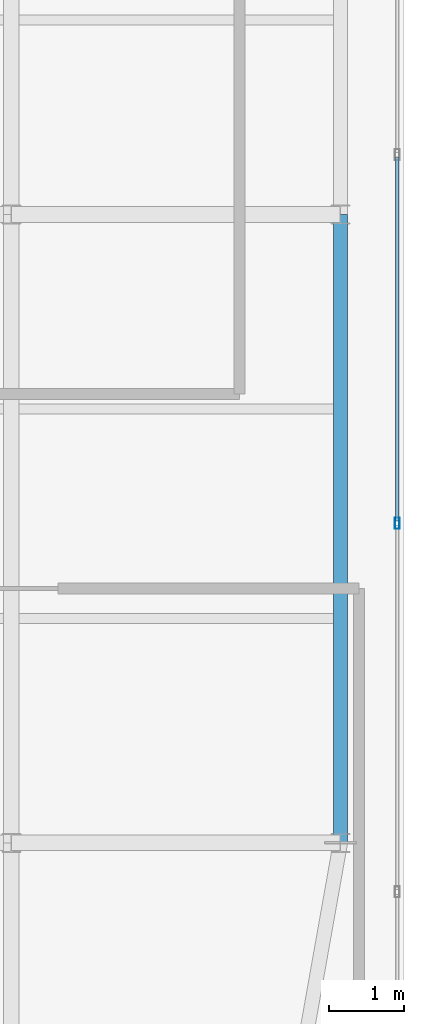
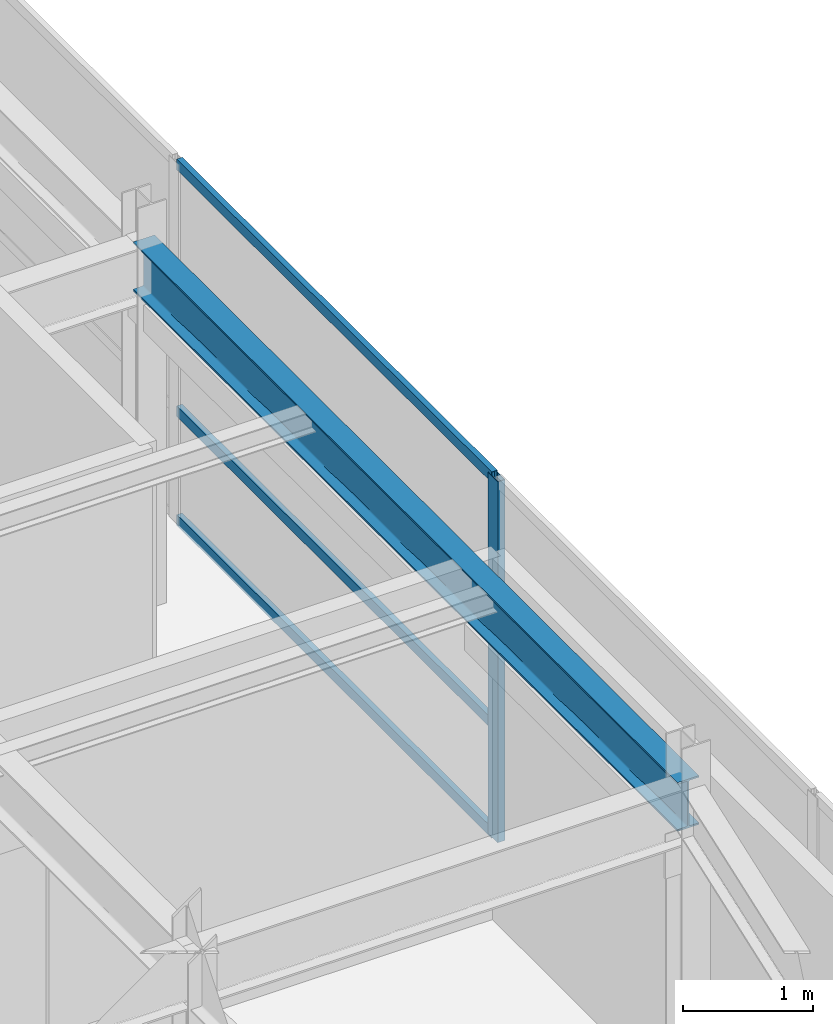
# One storey, part 22 of 35: 4 members, 1 beam, 1 element without a shape of its own.
"""IFC4 building model written with IfcOpenShell, lengths in metres."""

from ifc_helpers import new_model, si_unit, direction, frame, origin, origin_2d, place, context, subcontext, project, spatial, hollow_rectangle, i_section, extrude, source, transform, mapped, material, layer, layer_set, material_profile, profile_set, type_object, type_shapes, element, aggregate, save


model = new_model("IFC4")

# Units and contexts
model_context = context("Model", 3, precision=1e-05, world=origin(), true_north=direction((0.0, 1.0)))
body_context = subcontext(model_context, "Body", "Model", "MODEL_VIEW")
ifc_project = project(units=[si_unit("LENGTHUNIT", "METRE"), si_unit("AREAUNIT", "SQUARE_METRE"), si_unit("VOLUMEUNIT", "CUBIC_METRE"), si_unit("PLANEANGLEUNIT", "RADIAN"), si_unit("MASSUNIT", "GRAM", prefix="KILO")], contexts=[model_context])

# Site, building, storey
site_placement = place(None, origin())
site = spatial("IfcSite", under=ifc_project, at=site_placement, CompositionType="ELEMENT")
building_placement = place(site_placement, origin())
building = spatial("IfcBuilding", under=site, at=building_placement, Name="Tolvann Quenvar Hotel", CompositionType="ELEMENT")
storey_placement = place(building_placement, frame((0.0, 0.0, 309.949951171875)))
storey = spatial("IfcBuildingStorey", under=building, at=storey_placement, Name="L82", CompositionType="ELEMENT", Elevation=309.949951171875)

# Beam
ifc_material_1 = material(Name="Steel Grade 350", Category="steel")
ifc_material_profile_1 = material_profile(ifc_material_1, i_section(OverallWidth=0.19091796875, OverallDepth=0.4599609375, WebThickness=0.010009765625, FlangeThickness=0.01611328125, FilletRadius=0.011474609375, at=origin_2d()), Name="460UB82")
ifc_profile_set_1 = profile_set([ifc_material_profile_1], Name="Steel Grade 350")
beam_type = type_object("IfcBeamType", Name="BM_SPAND_460UB82", PredefinedType="SPANDREL", material=ifc_profile_set_1)
shared_shape_1 = source(origin(), body_context, "Body", "SweptSolid", [
    extrude(i_section(OverallWidth=0.19091796875, OverallDepth=0.4599609375, WebThickness=0.010009765625, FlangeThickness=0.01611328125, FilletRadius=0.011474609375, at=origin_2d()), origin(), (0.0, 0.0, 1.0), 8.39990234375),
])
type_shapes(beam_type, [shared_shape_1])
beam_placement = place(storey_placement, frame((37.14990234375, 16.0, 3.170166015625), z_axis=(0.0, 1.0, 0.0), x_axis=(-1.0, 0.0, 0.0)))
element("IfcBeam", 1, at=beam_placement, inside=storey, type_object=beam_type, Name="BM-L82-NS-G4-G5", PredefinedType="SPANDREL", context=body_context, shape_type="MappedRepresentation", body=[
    mapped(shared_shape_1, transform((0.0, 0.0, 0.0), x_axis=(1.0, 0.0, 0.0), y_axis=(0.0, 1.0, 0.0), z_axis=(0.0, 0.0, 1.0), scale=1.0)),
])

# Curtain wall, members
ifc_material_2 = material(Name="Thermally broken anodised architectural aluminium 6063-T6 and laminated low-E glass", Category="aluminium")
ifc_layer = layer(ifc_material_2, 0.179931640625)
ifc_layer_set = layer_set([ifc_layer], Name="Thermally broken anodised architectural aluminium 6063-T6 and laminated low-E glass")
curtain_wall_type = type_object("IfcCurtainWallType", Name="CW_SYS_LANT_06", PredefinedType="USERDEFINED", material=ifc_layer_set)
curtain_wall_placement = place(storey_placement, origin())
curtain_wall = element("IfcCurtainWall", 2, at=curtain_wall_placement, inside=storey, type_object=curtain_wall_type, Name="Curtain Wall CW-LANT-06 (CWR-L82-E09)", ObjectType="UNITISED CURTAIN WALL", PredefinedType="USERDEFINED")
ifc_material_3 = material(Name="Anodised architectural aluminium 6063-T6 framing", Category="aluminium")
ifc_material_profile_2 = material_profile(ifc_material_3, hollow_rectangle(XDim=0.050048828125, YDim=0.10009765625, WallThickness=0.0029296875, at=origin_2d()), Name="100x50x3RHS")
ifc_profile_set_2 = profile_set([ifc_material_profile_2], Name="Anodised architectural aluminium 6063-T6 framing")
member_type_1 = type_object("IfcMemberType", Name="CW_TRAN_100x50", PredefinedType="USERDEFINED", material=ifc_profile_set_2)
shared_shape_2 = source(origin(), body_context, "Body", "SweptSolid", [
    extrude(hollow_rectangle(XDim=0.050048828125, YDim=0.10009765625, WallThickness=0.0029296875, at=origin_2d()), origin(), (0.0, 0.0, 1.0), 4.862548828125),
])
type_shapes(member_type_1, [shared_shape_2])
member_1_placement = place(storey_placement, frame((37.909912109375, 20.304931640625, 0.025146484375), z_axis=(0.0, 1.0, 0.0), x_axis=(-1.0, 0.0, 0.0)))
member_1 = element("IfcMember", 3, at=member_1_placement, type_object=member_type_1, Name="CW-LANT-06 transom 3.1", ObjectType="TRANSOM", PredefinedType="USERDEFINED", context=body_context, shape_type="MappedRepresentation", body=[
    mapped(shared_shape_2, transform((0.0, 0.0, 0.0), x_axis=(1.0, 0.0, 0.0), y_axis=(0.0, 1.0, 0.0), z_axis=(0.0, 0.0, 1.0), scale=1.0)),
])
member_2_placement = place(storey_placement, frame((37.909912109375, 20.304931640625, 1.050048828125), z_axis=(0.0, 1.0, 0.0), x_axis=(-1.0, 0.0, 0.0)))
member_2 = element("IfcMember", 4, at=member_2_placement, type_object=member_type_1, Name="CW-LANT-06 transom 3.2", ObjectType="TRANSOM", PredefinedType="USERDEFINED", context=body_context, shape_type="MappedRepresentation", body=[
    mapped(shared_shape_2, transform((0.0, 0.0, 0.0), x_axis=(1.0, 0.0, 0.0), y_axis=(0.0, 1.0, 0.0), z_axis=(0.0, 0.0, 1.0), scale=1.0)),
])
member_3_placement = place(storey_placement, frame((37.909912109375, 20.304931640625, 3.375), z_axis=(0.0, 1.0, 0.0), x_axis=(-1.0, 0.0, 0.0)))
member_3 = element("IfcMember", 5, at=member_3_placement, type_object=member_type_1, Name="CW-LANT-06 transom 3.3", ObjectType="TRANSOM", PredefinedType="USERDEFINED", context=body_context, shape_type="MappedRepresentation", body=[
    mapped(shared_shape_2, transform((0.0, 0.0, 0.0), x_axis=(1.0, 0.0, 0.0), y_axis=(0.0, 1.0, 0.0), z_axis=(0.0, 0.0, 1.0), scale=1.0)),
])
ifc_material_profile_3 = material_profile(ifc_material_3, hollow_rectangle(XDim=0.06494140625, YDim=0.14990234375, WallThickness=0.00390625, at=origin_2d()), Name="150x65x4RHS")
ifc_profile_set_3 = profile_set([ifc_material_profile_3], Name="Anodised architectural aluminium 6063-T6 framing")
member_type_2 = type_object("IfcMemberType", Name="CW_MULL_150x65", PredefinedType="MULLION", material=ifc_profile_set_3)
shared_shape_3 = source(origin(), body_context, "Body", "SweptSolid", [
    extrude(hollow_rectangle(XDim=0.06494140625, YDim=0.14990234375, WallThickness=0.00390625, at=origin_2d()), origin(), (0.0, 0.0, 1.0), 3.400146484375),
])
type_shapes(member_type_2, [shared_shape_3])
member_4_placement = place(storey_placement, frame((37.909912109375, 20.2724609375, 0.0), z_axis=(0.0, 0.0, 1.0), x_axis=(-1.0, 0.0, 0.0)))
member_4 = element("IfcMember", 6, at=member_4_placement, type_object=member_type_2, Name="CW-LANT-06 mullion 3", PredefinedType="MULLION", context=body_context, shape_type="MappedRepresentation", body=[
    mapped(shared_shape_3, transform((0.0, 0.0, 0.0), x_axis=(1.0, 0.0, 0.0), y_axis=(0.0, 1.0, 0.0), z_axis=(0.0, 0.0, 1.0), scale=1.0)),
])
aggregate(curtain_wall, [member_4, member_1, member_2, member_3])

save(model, "model.ifc")
